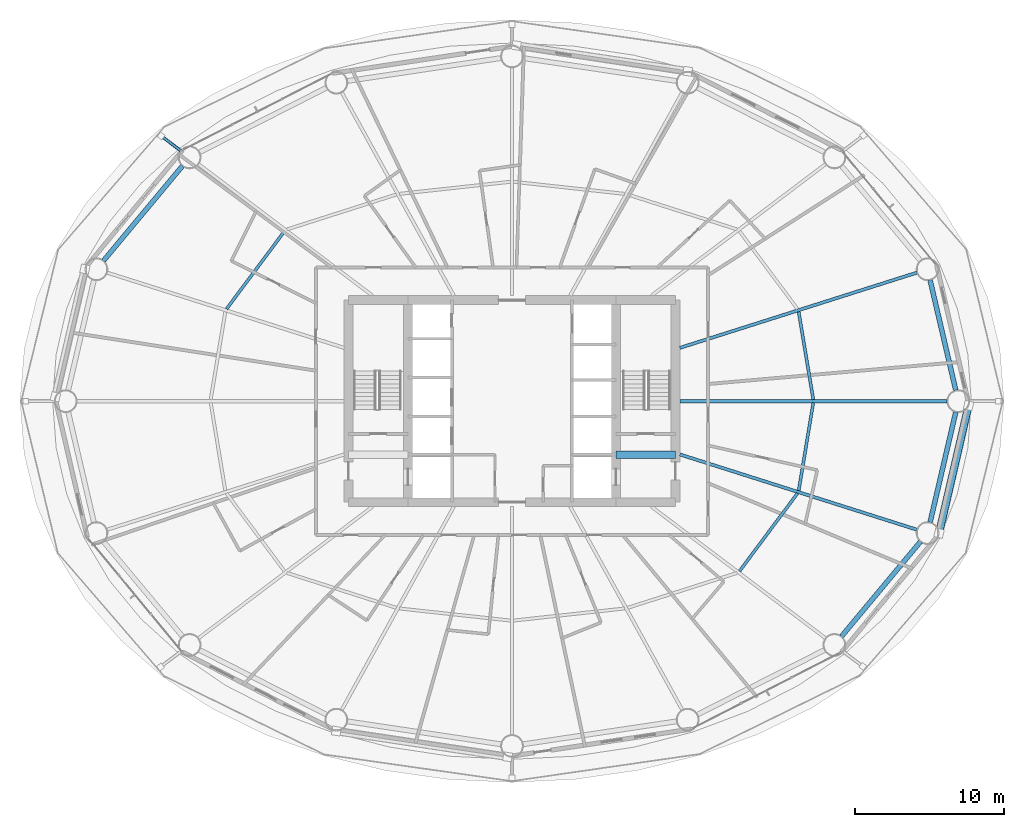
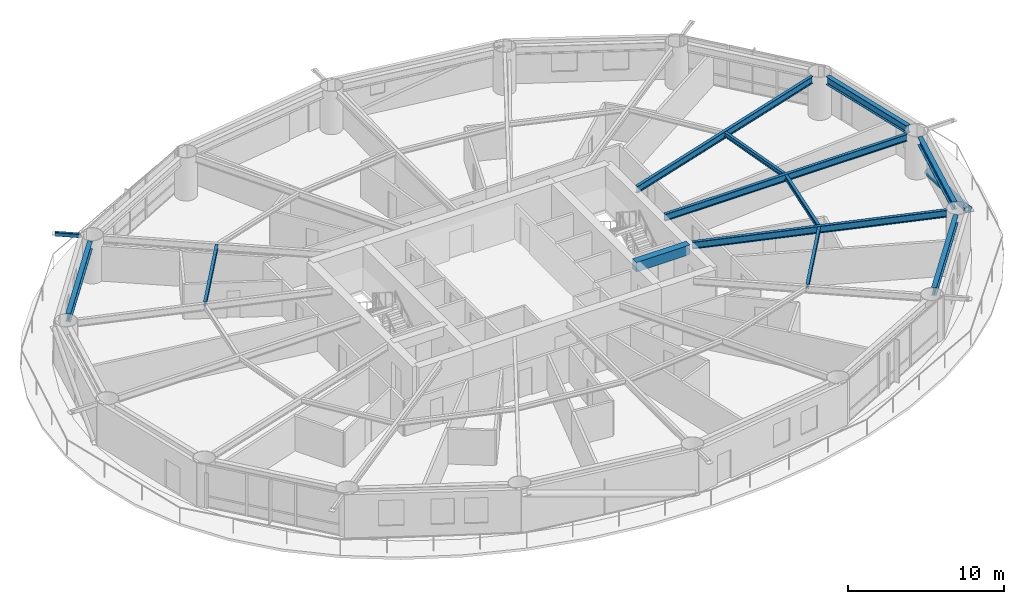
# One storey, part 9 of 26: 12 beams, 2 members.
"""IFC4 building model written with IfcOpenShell, lengths in metres."""

from ifc_helpers import new_model, si_unit, direction, frame, origin, origin_2d, place, context, subcontext, project, spatial, rectangle, hollow_rectangle, hollow_circle, i_section, extrude, material, material_profile, profile_set, type_object, element, save


model = new_model("IFC4")

# Units and contexts
model_context = context("Model", 3, precision=1e-05, world=origin(), true_north=direction((0.0, 1.0)))
body_context = subcontext(model_context, "Body", "Model", "MODEL_VIEW")
ifc_project = project(units=[si_unit("LENGTHUNIT", "METRE"), si_unit("AREAUNIT", "SQUARE_METRE"), si_unit("VOLUMEUNIT", "CUBIC_METRE"), si_unit("PLANEANGLEUNIT", "RADIAN"), si_unit("MASSUNIT", "GRAM", prefix="KILO")], contexts=[model_context])

# Site, building, storey
site_placement = place(None, origin())
site = spatial("IfcSite", under=ifc_project, at=site_placement, CompositionType="ELEMENT")
building_placement = place(site_placement, origin())
building = spatial("IfcBuilding", under=site, at=building_placement, Name="Sarneth Arch Tower", CompositionType="ELEMENT")
storey_placement = place(building_placement, frame((0.0, 0.0, 35.39990234375)))
storey = spatial("IfcBuildingStorey", under=building, at=storey_placement, Name="L07", CompositionType="ELEMENT", Elevation=35.39990234375)

# Beams
ifc_material_1 = material(Name="Steel S355", Category="steel")
ifc_material_profile_1 = material_profile(ifc_material_1, i_section(OverallWidth=0.202880859375, OverallDepth=0.346923828125, WebThickness=0.0078125, FlangeThickness=0.013427734375, FilletRadius=0.014892578125, at=origin_2d()), Name="W360x64")
ifc_profile_set_1 = profile_set([ifc_material_profile_1], Name="Steel S355")
beam_type_1 = type_object("IfcBeamType", Name="BM-JOIST-360C", PredefinedType="JOIST", material=ifc_profile_set_1)
beam_1_placement = place(storey_placement, frame((68.27490234375, 42.10546875, 3.20654296875), z_axis=(-0.16394288124, 0.986469833138, 0.0), x_axis=(-0.986469833138, -0.16394288124, 0.0)))
element("IfcBeam", 1, at=beam_1_placement, inside=storey, type_object=beam_type_1, Name="L07 Secondary floor joist 01", PredefinedType="JOIST", context=body_context, shape_type="SweptSolid", body=[
    extrude(i_section(OverallWidth=0.202880859375, OverallDepth=0.346923828125, WebThickness=0.0078125, FlangeThickness=0.013427734375, FilletRadius=0.014892578125, at=origin_2d()), origin(), (0.0, 0.0, 1.0), 5.989501953125),
])
for number, where, z_axis, x_axis, name in (
    (2, (32.691650390625, 53.4404296875, 3.20654296875), (-0.597700490469, -0.801719479428, 0.0), (0.801719479428, -0.597700490469, 0.0), "L07 Secondary floor joist 07"),
    (3, (63.308349609375, 30.5595703125, 3.20654296875), (0.597700490469, 0.801719479428, 0.0), (-0.801719479428, 0.597700490469, 0.0), "L07 Secondary floor joist 15"),
):
    element("IfcBeam", number, at=place(storey_placement, frame(where, z_axis=z_axis, x_axis=x_axis)), inside=storey, type_object=beam_type_1, Name=name, PredefinedType="JOIST", context=body_context, shape_type="SweptSolid", body=[
        extrude(i_section(OverallWidth=0.202880859375, OverallDepth=0.346923828125, WebThickness=0.0078125, FlangeThickness=0.013427734375, FilletRadius=0.014892578125, at=origin_2d()), origin(), (0.0, 0.0, 1.0), 6.5302734375),
    ])
beam_2_placement = place(storey_placement, frame((67.29296875, 35.986083984375, 3.20654296875), z_axis=(0.16394288124, 0.986469833138, 0.0), x_axis=(-0.986469833138, 0.16394288124, 0.0)))
element("IfcBeam", 4, at=beam_2_placement, inside=storey, type_object=beam_type_1, Name="L07 Secondary floor joist 16", PredefinedType="JOIST", context=body_context, shape_type="SweptSolid", body=[
    extrude(i_section(OverallWidth=0.202880859375, OverallDepth=0.346923828125, WebThickness=0.0078125, FlangeThickness=0.013427734375, FilletRadius=0.014892578125, at=origin_2d()), origin(), (0.0, 0.0, 1.0), 5.989501953125),
])
ifc_material_2 = material(Name="Concrete C50/60", Category="concrete")
ifc_material_profile_2 = material_profile(ifc_material_2, rectangle(XDim=0.5, YDim=0.75, at=origin_2d()), Name="RC-500x750")
ifc_profile_set_2 = profile_set([ifc_material_profile_2], Name="Concrete C50/60")
beam_type_2 = type_object("IfcBeamType", Name="BM-LINTEL-RC", PredefinedType="LINTEL", material=ifc_profile_set_2)
beam_3_placement = place(storey_placement, frame((55.0, 38.39990234375, 3.005126953125), z_axis=(1.0, 0.0, 0.0), x_axis=(0.0, 1.0, 0.0)))
element("IfcBeam", 5, at=beam_3_placement, inside=storey, type_object=beam_type_2, Name="L07 Core coupling lintel E", PredefinedType="LINTEL", context=body_context, shape_type="SweptSolid", body=[
    extrude(rectangle(XDim=0.5, YDim=0.75, at=origin_2d()), origin(), (0.0, 0.0, 1.0), 4.0),
])
ifc_material_3 = material(Name="Steel S355", Category="steel")
ifc_material_profile_3 = material_profile(ifc_material_3, i_section(OverallWidth=0.214111328125, OverallDepth=0.549072265625, WebThickness=0.0146484375, FlangeThickness=0.023681640625, FilletRadius=0.01806640625, at=origin_2d()), Name="W530x138")
ifc_profile_set_3 = profile_set([ifc_material_profile_3], Name="Steel S355")
beam_type_3 = type_object("IfcBeamType", Name="BM-RAD-530A", PredefinedType="BEAM", material=ifc_profile_set_3)
beam_4_placement = place(storey_placement, frame((59.300048828125, 42.0, 3.105712890625), z_axis=(1.0, 0.0, 0.0), x_axis=(0.0, 1.0, 0.0)))
element("IfcBeam", 6, at=beam_4_placement, inside=storey, type_object=beam_type_3, Name="L07 Radial floor girder 01", PredefinedType="BEAM", context=body_context, shape_type="SweptSolid", body=[
    extrude(i_section(OverallWidth=0.214111328125, OverallDepth=0.549072265625, WebThickness=0.0146484375, FlangeThickness=0.023681640625, FilletRadius=0.01806640625, at=origin_2d()), origin(), (0.0, 0.0, 1.0), 17.98486328125),
])
for number, where, z_axis, x_axis, name in (
    (7, (59.300048828125, 45.58740234375, 3.105712890625), (0.953119859464, 0.30259301627, 0.0), (-0.30259301627, 0.953119859464, 0.0), "L07 Radial floor girder 02"),
    (8, (59.300048828125, 38.41259765625, 3.105712890625), (0.953119859464, -0.30259301627, 0.0), (0.30259301627, 0.953119859464, 0.0), "L07 Radial floor girder 16"),
):
    element("IfcBeam", number, at=place(storey_placement, frame(where, z_axis=z_axis, x_axis=x_axis)), inside=storey, type_object=beam_type_3, Name=name, PredefinedType="BEAM", context=body_context, shape_type="SweptSolid", body=[
        extrude(i_section(OverallWidth=0.214111328125, OverallDepth=0.549072265625, WebThickness=0.0146484375, FlangeThickness=0.023681640625, FilletRadius=0.01806640625, at=origin_2d()), origin(), (0.0, 0.0, 1.0), 16.7353515625),
    ])
ifc_material_4 = material(Name="Steel S355", Category="steel")
ifc_material_profile_4 = material_profile(ifc_material_4, i_section(OverallWidth=0.326904296875, OverallDepth=0.6220703125, WebThickness=0.015380859375, FlangeThickness=0.0244140625, FilletRadius=0.01904296875, at=origin_2d()), Name="W610x195")
ifc_profile_set_4 = profile_set([ifc_material_profile_4], Name="Steel S355")
beam_type_4 = type_object("IfcBeamType", Name="BM-SPAN-610A", PredefinedType="SPANDREL", material=ifc_profile_set_4)
beam_5_placement = place(storey_placement, frame((77.864501953125, 42.73046875, 3.069091796875), z_axis=(-0.226982354826, 0.973898870827, 0.0), x_axis=(-0.973898870827, -0.226982354826, 0.0)))
element("IfcBeam", 9, at=beam_5_placement, inside=storey, type_object=beam_type_4, Name="L07 Perimeter spandrel beam 01", PredefinedType="SPANDREL", context=body_context, shape_type="SweptSolid", body=[
    extrude(i_section(OverallWidth=0.326904296875, OverallDepth=0.6220703125, WebThickness=0.015380859375, FlangeThickness=0.0244140625, FilletRadius=0.01904296875, at=origin_2d()), origin(), (0.0, 0.0, 1.0), 7.6162109375),
])
for number, where, z_axis, x_axis, name in (
    (10, (25.8232421875, 57.82861328125, 3.069091796875), (-0.639981736251, -0.768390120489, 0.0), (0.768390120489, -0.639981736251, 0.0), "L07 Perimeter spandrel beam 07"),
    (11, (70.1767578125, 26.17138671875, 3.069091796875), (0.639981736251, 0.768390120489, 0.0), (-0.768390120489, 0.639981736251, 0.0), "L07 Perimeter spandrel beam 15"),
):
    element("IfcBeam", number, at=place(storey_placement, frame(where, z_axis=z_axis, x_axis=x_axis)), inside=storey, type_object=beam_type_4, Name=name, PredefinedType="SPANDREL", context=body_context, shape_type="SweptSolid", body=[
        extrude(i_section(OverallWidth=0.326904296875, OverallDepth=0.6220703125, WebThickness=0.015380859375, FlangeThickness=0.0244140625, FilletRadius=0.01904296875, at=origin_2d()), origin(), (0.0, 0.0, 1.0), 8.29541015625),
    ])
beam_6_placement = place(storey_placement, frame((76.1357421875, 33.85205078125, 3.069091796875), z_axis=(0.226982354826, 0.973898870827, 0.0), x_axis=(-0.973898870827, 0.226982354826, 0.0)))
element("IfcBeam", 12, at=beam_6_placement, inside=storey, type_object=beam_type_4, Name="L07 Perimeter spandrel beam 16", PredefinedType="SPANDREL", context=body_context, shape_type="SweptSolid", body=[
    extrude(i_section(OverallWidth=0.326904296875, OverallDepth=0.6220703125, WebThickness=0.015380859375, FlangeThickness=0.0244140625, FilletRadius=0.01904296875, at=origin_2d()), origin(), (0.0, 0.0, 1.0), 7.6162109375),
])

# Members
ifc_material_5 = material(Name="Steel S355", Category="steel")
ifc_material_profile_5 = material_profile(ifc_material_5, hollow_rectangle(XDim=0.199951171875, YDim=0.300048828125, WallThickness=0.012451171875, InnerFilletRadius=0.018798828125, OuterFilletRadius=0.03125, at=origin_2d()), Name="RHS300x200x12.5")
ifc_profile_set_5 = profile_set([ifc_material_profile_5], Name="Steel S355")
member_type_1 = type_object("IfcMemberType", Name="MEM-CANT-STRUT", PredefinedType="STRUT", material=ifc_profile_set_5)
member_1_placement = place(storey_placement, frame((25.705078125, 58.857177734375, 3.22021484375), z_axis=(-0.797662811248, 0.603103672308, 0.0), x_axis=(-0.603103672308, -0.797662811248, 0.0)))
element("IfcMember", 13, at=member_1_placement, inside=storey, type_object=member_type_1, Name="L07 Balcony cantilever bracket 07", PredefinedType="STRUT", context=body_context, shape_type="SweptSolid", body=[
    extrude(hollow_rectangle(XDim=0.199951171875, YDim=0.300048828125, WallThickness=0.012451171875, InnerFilletRadius=0.018798828125, OuterFilletRadius=0.03125, at=origin_2d()), origin(), (0.0, 0.0, 1.0), 1.646240234375),
])
ifc_material_6 = material(Name="Steel S355", Category="steel")
ifc_material_profile_6 = material_profile(ifc_material_6, hollow_circle(Radius=0.25390625, WallThickness=0.01611328125, at=origin_2d()), Name="CHS508x16")
ifc_profile_set_6 = profile_set([ifc_material_profile_6], Name="Steel S355")
member_type_2 = type_object("IfcMemberType", Name="MEM-DIAG-BR1", PredefinedType="BRACE", material=ifc_profile_set_6)
member_2_placement = place(storey_placement, frame((78.725341796875, 41.707763671875, 0.02001953125), z_axis=(-0.213332307958, -0.922814312474, 0.320785085492), x_axis=(0.974304339016, -0.225235554419, 0.0)))
element("IfcMember", 14, at=member_2_placement, inside=storey, type_object=member_type_2, Name="L07 Perimeter frame diagonal 16", PredefinedType="BRACE", context=body_context, shape_type="SweptSolid", body=[
    extrude(hollow_circle(Radius=0.25390625, WallThickness=0.01611328125, at=origin_2d()), origin(), (0.0, 0.0, 1.0), 9.31103515625),
])

save(model, "model.ifc")
